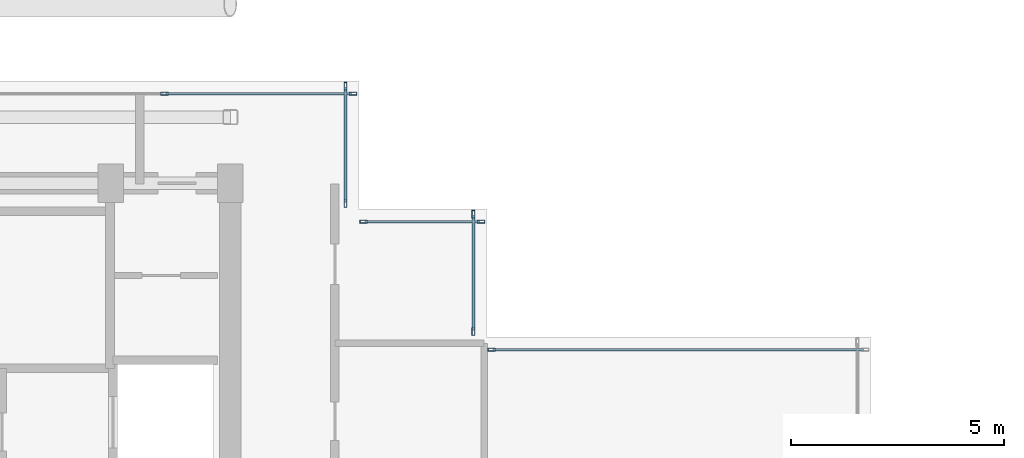
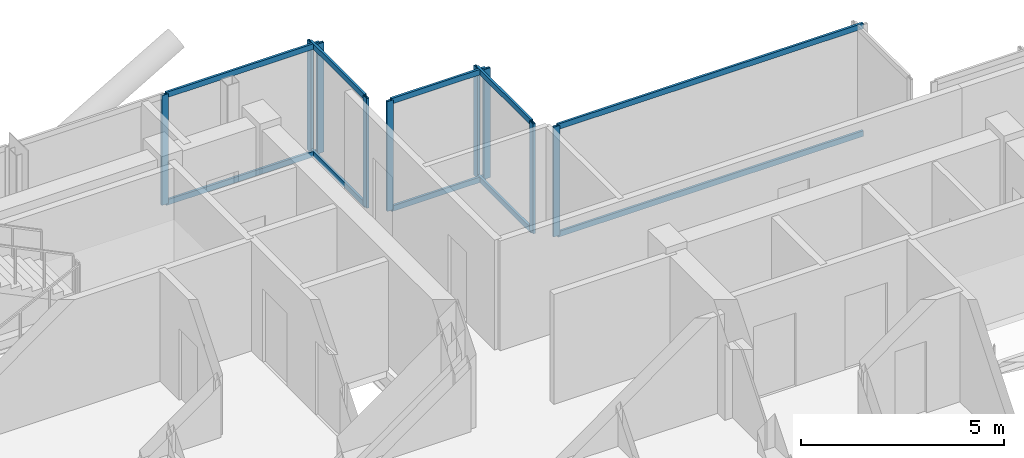
# One storey, part 10 of 18: 19 members, 5 elements without a shape of their own.
"""IFC4 building model written with IfcOpenShell, lengths in metres."""

from ifc_helpers import new_model, si_unit, direction, frame, origin, origin_2d, place, context, subcontext, project, spatial, hollow_rectangle, extrude, material, layer, layer_set, material_profile, profile_set, type_object, element, aggregate, save


model = new_model("IFC4")

# Units and contexts
model_context = context("Model", 3, precision=1e-05, world=origin(), true_north=direction((0.0, 1.0)))
body_context = subcontext(model_context, "Body", "Model", "MODEL_VIEW")
ifc_project = project(units=[si_unit("LENGTHUNIT", "METRE"), si_unit("AREAUNIT", "SQUARE_METRE"), si_unit("VOLUMEUNIT", "CUBIC_METRE"), si_unit("PLANEANGLEUNIT", "RADIAN"), si_unit("MASSUNIT", "GRAM", prefix="KILO"), si_unit("THERMODYNAMICTEMPERATUREUNIT", "KELVIN"), si_unit("POWERUNIT", "WATT")], contexts=[model_context])

# Site, building, storey
site_placement = place(None, origin())
site = spatial("IfcSite", under=ifc_project, at=site_placement, CompositionType="ELEMENT")
building_placement = place(site_placement, origin())
building = spatial("IfcBuilding", under=site, at=building_placement, Name="Svarakhadi Broadcast Tower", CompositionType="ELEMENT")
storey_placement = place(building_placement, frame((0.0, 0.0, 253.699951171875)))
storey = spatial("IfcBuildingStorey", under=building, at=storey_placement, Name="L63", CompositionType="ELEMENT", Elevation=253.699951171875)

# Curtain wall, members
ifc_material = material(Name="Anodised Bronze Aluminium AA 6063-T6", Category="aluminium")
ifc_layer = layer(ifc_material, 0.179931640625)
ifc_layer_set = layer_set([ifc_layer], Name="Anodised Bronze Aluminium AA 6063-T6")
curtain_wall_type = type_object("IfcCurtainWallType", Name="CW_Sys_05", PredefinedType="NOTDEFINED", material=ifc_layer_set)
curtain_wall_1_placement = place(storey_placement, origin())
curtain_wall_1 = element("IfcCurtainWall", 1, at=curtain_wall_1_placement, inside=storey, type_object=curtain_wall_type, Name="L63 Unitised Facade Curtain Wall 06", PredefinedType="NOTDEFINED")
ifc_material_profile_1 = material_profile(ifc_material, hollow_rectangle(XDim=0.070068359375, YDim=0.179931640625, WallThickness=0.005615234375, at=origin_2d()), Name="ALU MULLION 180x70x6")
ifc_profile_set_1 = profile_set([ifc_material_profile_1], Name="Anodised Bronze Aluminium AA 6063-T6")
member_type_1 = type_object("IfcMemberType", Name="CW_Sys_05_Mul", PredefinedType="MULLION", material=ifc_profile_set_1)
member_1_placement = place(storey_placement, frame((16.455078125, 29.699951171875, 0.0), z_axis=(0.0, 0.0, 1.0), x_axis=(0.0, 1.0, 0.0)))
member_1 = element("IfcMember", 2, at=member_1_placement, type_object=member_type_1, Name="CW-05 mullion 4", PredefinedType="MULLION", context=body_context, shape_type="SweptSolid", body=[
    extrude(hollow_rectangle(XDim=0.070068359375, YDim=0.179931640625, WallThickness=0.005615234375, at=origin_2d()), origin(), (0.0, 0.0, 1.0), 3.300048828125),
])
member_2_placement = place(storey_placement, frame((20.875, 29.699951171875, 0.0), z_axis=(0.0, 0.0, 1.0), x_axis=(0.0, 1.0, 0.0)))
member_2 = element("IfcMember", 3, at=member_2_placement, type_object=member_type_1, Name="CW-05 mullion 5", PredefinedType="MULLION", context=body_context, shape_type="SweptSolid", body=[
    extrude(hollow_rectangle(XDim=0.070068359375, YDim=0.179931640625, WallThickness=0.005615234375, at=origin_2d()), origin(), (0.0, 0.0, 1.0), 3.300048828125),
])

curtain_wall_2_placement = place(storey_placement, origin())
curtain_wall_2 = element("IfcCurtainWall", 4, at=curtain_wall_2_placement, inside=storey, type_object=curtain_wall_type, Name="L63 Unitised Facade Curtain Wall 07", PredefinedType="NOTDEFINED")
member_3_placement = place(storey_placement, frame((20.699951171875, 29.875, 0.0), z_axis=(0.0, 0.0, 1.0), x_axis=(1.0, 0.0, 0.0)))
member_3 = element("IfcMember", 5, at=member_3_placement, type_object=member_type_1, Name="CW-05 mullion 1", PredefinedType="MULLION", context=body_context, shape_type="SweptSolid", body=[
    extrude(hollow_rectangle(XDim=0.070068359375, YDim=0.179931640625, WallThickness=0.005615234375, at=origin_2d()), origin(), (0.0, 0.0, 1.0), 3.300048828125),
])
member_4_placement = place(storey_placement, frame((20.699951171875, 27.125, 0.0), z_axis=(0.0, 0.0, 1.0), x_axis=(1.0, 0.0, 0.0)))
member_4 = element("IfcMember", 6, at=member_4_placement, type_object=member_type_1, Name="CW-05 mullion 2", PredefinedType="MULLION", context=body_context, shape_type="SweptSolid", body=[
    extrude(hollow_rectangle(XDim=0.070068359375, YDim=0.179931640625, WallThickness=0.005615234375, at=origin_2d()), origin(), (0.0, 0.0, 1.0), 3.300048828125),
])

curtain_wall_3_placement = place(storey_placement, origin())
curtain_wall_3 = element("IfcCurtainWall", 7, at=curtain_wall_3_placement, inside=storey, type_object=curtain_wall_type, Name="L63 Unitised Facade Curtain Wall 08", PredefinedType="NOTDEFINED")
member_5_placement = place(storey_placement, frame((21.125, 26.699951171875, 0.0), z_axis=(0.0, 0.0, 1.0), x_axis=(0.0, 1.0, 0.0)))
member_5 = element("IfcMember", 8, at=member_5_placement, type_object=member_type_1, Name="CW-05 mullion 1", PredefinedType="MULLION", context=body_context, shape_type="SweptSolid", body=[
    extrude(hollow_rectangle(XDim=0.070068359375, YDim=0.179931640625, WallThickness=0.005615234375, at=origin_2d()), origin(), (0.0, 0.0, 1.0), 3.300048828125),
])
member_6_placement = place(storey_placement, frame((23.875, 26.699951171875, 0.0), z_axis=(0.0, 0.0, 1.0), x_axis=(0.0, 1.0, 0.0)))
member_6 = element("IfcMember", 9, at=member_6_placement, type_object=member_type_1, Name="CW-05 mullion 2", PredefinedType="MULLION", context=body_context, shape_type="SweptSolid", body=[
    extrude(hollow_rectangle(XDim=0.070068359375, YDim=0.179931640625, WallThickness=0.005615234375, at=origin_2d()), origin(), (0.0, 0.0, 1.0), 3.300048828125),
])

curtain_wall_4_placement = place(storey_placement, origin())
curtain_wall_4 = element("IfcCurtainWall", 10, at=curtain_wall_4_placement, inside=storey, type_object=curtain_wall_type, Name="L63 Unitised Facade Curtain Wall 09", PredefinedType="NOTDEFINED")
member_7_placement = place(storey_placement, frame((23.699951171875, 26.875, 0.0), z_axis=(0.0, 0.0, 1.0), x_axis=(1.0, 0.0, 0.0)))
member_7 = element("IfcMember", 11, at=member_7_placement, type_object=member_type_1, Name="CW-05 mullion 1", PredefinedType="MULLION", context=body_context, shape_type="SweptSolid", body=[
    extrude(hollow_rectangle(XDim=0.070068359375, YDim=0.179931640625, WallThickness=0.005615234375, at=origin_2d()), origin(), (0.0, 0.0, 1.0), 3.300048828125),
])
member_8_placement = place(storey_placement, frame((23.699951171875, 24.125, 0.0), z_axis=(0.0, 0.0, 1.0), x_axis=(1.0, 0.0, 0.0)))
member_8 = element("IfcMember", 12, at=member_8_placement, type_object=member_type_1, Name="CW-05 mullion 2", PredefinedType="MULLION", context=body_context, shape_type="SweptSolid", body=[
    extrude(hollow_rectangle(XDim=0.070068359375, YDim=0.179931640625, WallThickness=0.005615234375, at=origin_2d()), origin(), (0.0, 0.0, 1.0), 3.300048828125),
])

# Curtain wall, member
curtain_wall_5_placement = place(storey_placement, origin())
curtain_wall_5 = element("IfcCurtainWall", 13, at=curtain_wall_5_placement, inside=storey, type_object=curtain_wall_type, Name="L63 Unitised Facade Curtain Wall 10", PredefinedType="NOTDEFINED")
member_9_placement = place(storey_placement, frame((24.125, 23.699951171875, 0.0), z_axis=(0.0, 0.0, 1.0), x_axis=(0.0, 1.0, 0.0)))
member_9 = element("IfcMember", 14, at=member_9_placement, type_object=member_type_1, Name="CW-05 mullion 1", PredefinedType="MULLION", context=body_context, shape_type="SweptSolid", body=[
    extrude(hollow_rectangle(XDim=0.070068359375, YDim=0.179931640625, WallThickness=0.005615234375, at=origin_2d()), origin(), (0.0, 0.0, 1.0), 3.300048828125),
])

# Member
ifc_material_profile_2 = material_profile(ifc_material, hollow_rectangle(XDim=0.06494140625, YDim=0.1650390625, WallThickness=0.0048828125, at=origin_2d()), Name="ALU TRANSOM 165x65x5")
ifc_profile_set_2 = profile_set([ifc_material_profile_2], Name="Anodised Bronze Aluminium AA 6063-T6")
member_type_2 = type_object("IfcMemberType", Name="CW_Sys_05_Trn", PredefinedType="USERDEFINED", material=ifc_profile_set_2)
member_10_placement = place(storey_placement, frame((16.489990234375, 29.699951171875, 0.032470703125), z_axis=(1.0, 0.0, 0.0), x_axis=(0.0, 1.0, 0.0)))
member_10 = element("IfcMember", 15, at=member_10_placement, type_object=member_type_2, Name="CW-05 transom 4.1", ObjectType="TRANSOM", PredefinedType="USERDEFINED", context=body_context, shape_type="SweptSolid", body=[
    extrude(hollow_rectangle(XDim=0.06494140625, YDim=0.1650390625, WallThickness=0.0048828125, at=origin_2d()), origin(), (0.0, 0.0, 1.0), 4.35009765625),
])

member_11_placement = place(storey_placement, frame((16.489990234375, 29.699951171875, 3.267578125), z_axis=(1.0, 0.0, 0.0), x_axis=(0.0, 1.0, 0.0)))
member_11 = element("IfcMember", 16, at=member_11_placement, type_object=member_type_2, Name="CW-05 transom 4.2", ObjectType="TRANSOM", PredefinedType="USERDEFINED", context=body_context, shape_type="SweptSolid", body=[
    extrude(hollow_rectangle(XDim=0.06494140625, YDim=0.1650390625, WallThickness=0.0048828125, at=origin_2d()), origin(), (0.0, 0.0, 1.0), 4.35009765625),
])

aggregate(curtain_wall_1, [member_1, member_2, member_10, member_11])

member_12_placement = place(storey_placement, frame((20.699951171875, 29.840087890625, 0.032470703125), z_axis=(0.0, -1.0, 0.0), x_axis=(1.0, 0.0, 0.0)))
member_12 = element("IfcMember", 17, at=member_12_placement, type_object=member_type_2, Name="CW-05 transom 1.1", ObjectType="TRANSOM", PredefinedType="USERDEFINED", context=body_context, shape_type="SweptSolid", body=[
    extrude(hollow_rectangle(XDim=0.06494140625, YDim=0.1650390625, WallThickness=0.0048828125, at=origin_2d()), origin(), (0.0, 0.0, 1.0), 2.68017578125),
])

member_13_placement = place(storey_placement, frame((20.699951171875, 29.840087890625, 3.267578125), z_axis=(0.0, -1.0, 0.0), x_axis=(1.0, 0.0, 0.0)))
member_13 = element("IfcMember", 18, at=member_13_placement, type_object=member_type_2, Name="CW-05 transom 1.2", ObjectType="TRANSOM", PredefinedType="USERDEFINED", context=body_context, shape_type="SweptSolid", body=[
    extrude(hollow_rectangle(XDim=0.06494140625, YDim=0.1650390625, WallThickness=0.0048828125, at=origin_2d()), origin(), (0.0, 0.0, 1.0), 2.68017578125),
])

aggregate(curtain_wall_2, [member_3, member_4, member_12, member_13])

member_14_placement = place(storey_placement, frame((21.159912109375, 26.699951171875, 0.032470703125), z_axis=(1.0, 0.0, 0.0), x_axis=(0.0, 1.0, 0.0)))
member_14 = element("IfcMember", 19, at=member_14_placement, type_object=member_type_2, Name="CW-05 transom 1.1", ObjectType="TRANSOM", PredefinedType="USERDEFINED", context=body_context, shape_type="SweptSolid", body=[
    extrude(hollow_rectangle(XDim=0.06494140625, YDim=0.1650390625, WallThickness=0.0048828125, at=origin_2d()), origin(), (0.0, 0.0, 1.0), 2.68017578125),
])

member_15_placement = place(storey_placement, frame((21.159912109375, 26.699951171875, 3.267578125), z_axis=(1.0, 0.0, 0.0), x_axis=(0.0, 1.0, 0.0)))
member_15 = element("IfcMember", 20, at=member_15_placement, type_object=member_type_2, Name="CW-05 transom 1.2", ObjectType="TRANSOM", PredefinedType="USERDEFINED", context=body_context, shape_type="SweptSolid", body=[
    extrude(hollow_rectangle(XDim=0.06494140625, YDim=0.1650390625, WallThickness=0.0048828125, at=origin_2d()), origin(), (0.0, 0.0, 1.0), 2.68017578125),
])

aggregate(curtain_wall_3, [member_5, member_6, member_14, member_15])

member_16_placement = place(storey_placement, frame((23.699951171875, 26.840087890625, 0.032470703125), z_axis=(0.0, -1.0, 0.0), x_axis=(1.0, 0.0, 0.0)))
member_16 = element("IfcMember", 21, at=member_16_placement, type_object=member_type_2, Name="CW-05 transom 1.1", ObjectType="TRANSOM", PredefinedType="USERDEFINED", context=body_context, shape_type="SweptSolid", body=[
    extrude(hollow_rectangle(XDim=0.06494140625, YDim=0.1650390625, WallThickness=0.0048828125, at=origin_2d()), origin(), (0.0, 0.0, 1.0), 2.68017578125),
])

member_17_placement = place(storey_placement, frame((23.699951171875, 26.840087890625, 3.267578125), z_axis=(0.0, -1.0, 0.0), x_axis=(1.0, 0.0, 0.0)))
member_17 = element("IfcMember", 22, at=member_17_placement, type_object=member_type_2, Name="CW-05 transom 1.2", ObjectType="TRANSOM", PredefinedType="USERDEFINED", context=body_context, shape_type="SweptSolid", body=[
    extrude(hollow_rectangle(XDim=0.06494140625, YDim=0.1650390625, WallThickness=0.0048828125, at=origin_2d()), origin(), (0.0, 0.0, 1.0), 2.68017578125),
])

aggregate(curtain_wall_4, [member_7, member_8, member_16, member_17])

member_18_placement = place(storey_placement, frame((24.159912109375, 23.699951171875, 0.032470703125), z_axis=(1.0, 0.0, 0.0), x_axis=(0.0, 1.0, 0.0)))
member_18 = element("IfcMember", 23, at=member_18_placement, type_object=member_type_2, Name="CW-05 transom 1.1", ObjectType="TRANSOM", PredefinedType="USERDEFINED", context=body_context, shape_type="SweptSolid", body=[
    extrude(hollow_rectangle(XDim=0.06494140625, YDim=0.1650390625, WallThickness=0.0048828125, at=origin_2d()), origin(), (0.0, 0.0, 1.0), 8.68017578125),
])

member_19_placement = place(storey_placement, frame((24.159912109375, 23.699951171875, 3.267578125), z_axis=(1.0, 0.0, 0.0), x_axis=(0.0, 1.0, 0.0)))
member_19 = element("IfcMember", 24, at=member_19_placement, type_object=member_type_2, Name="CW-05 transom 1.2", ObjectType="TRANSOM", PredefinedType="USERDEFINED", context=body_context, shape_type="SweptSolid", body=[
    extrude(hollow_rectangle(XDim=0.06494140625, YDim=0.1650390625, WallThickness=0.0048828125, at=origin_2d()), origin(), (0.0, 0.0, 1.0), 8.68017578125),
])

aggregate(curtain_wall_5, [member_9, member_18, member_19])

save(model, "model.ifc")
